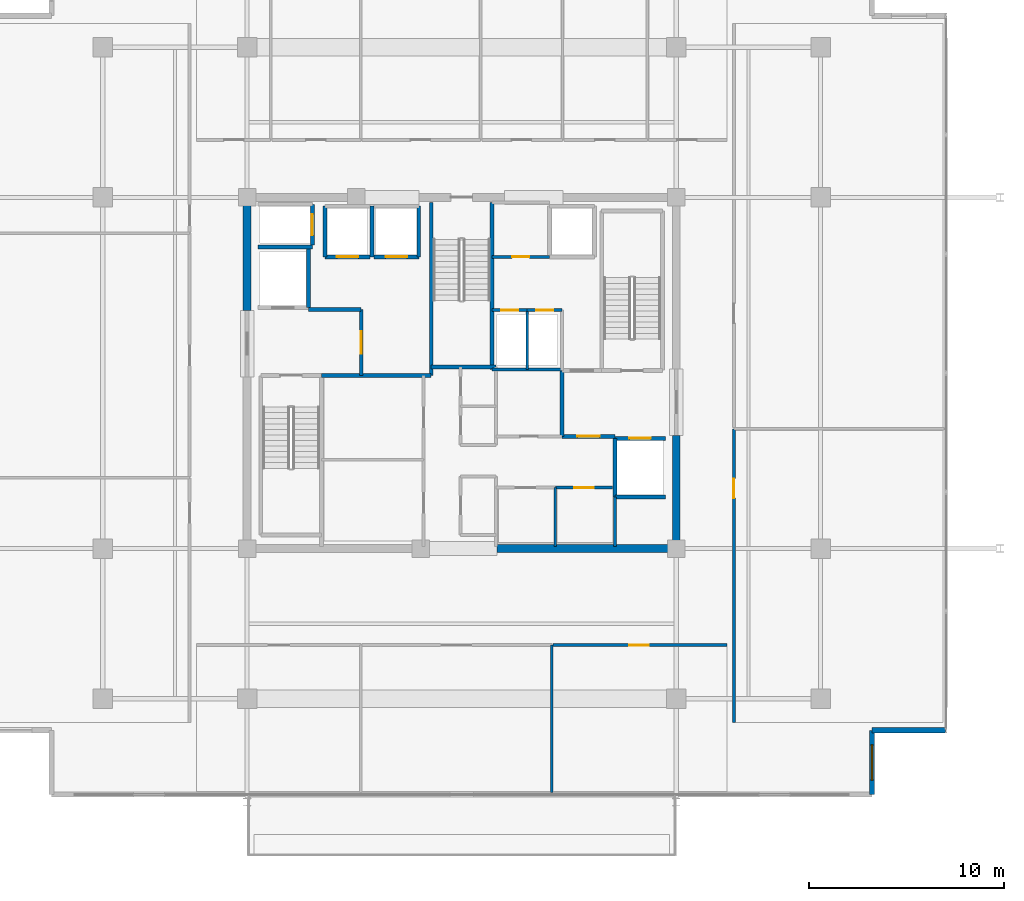
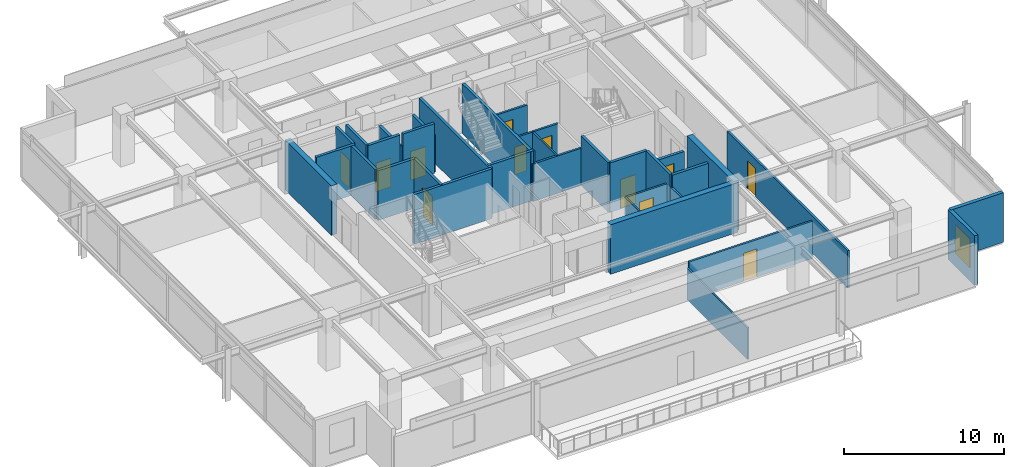
# One storey, part 15 of 21: 35 walls, 12 doors, 1 window, 13 openings.
"""IFC4 building model written with IfcOpenShell, lengths in metres."""

from ifc_helpers import new_model, si_unit, direction, frame, frame_2d, origin, place, context, subcontext, project, spatial, rectangle, extrude, material, layer, layer_set, type_object, element, fill, save


model = new_model("IFC4")

# Units and contexts
model_context = context("Model", 3, precision=1e-05, world=origin(), true_north=direction((0.0, 1.0)))
body_context = subcontext(model_context, "Body", "Model", "MODEL_VIEW")
ifc_project = project(units=[si_unit("LENGTHUNIT", "METRE"), si_unit("AREAUNIT", "SQUARE_METRE"), si_unit("VOLUMEUNIT", "CUBIC_METRE"), si_unit("PLANEANGLEUNIT", "RADIAN"), si_unit("MASSUNIT", "GRAM", prefix="KILO")], contexts=[model_context])

# Site, building, storey
site_placement = place(None, origin())
site = spatial("IfcSite", under=ifc_project, at=site_placement, CompositionType="ELEMENT")
building_placement = place(site_placement, origin())
building = spatial("IfcBuilding", under=site, at=building_placement, Name="Kovane Verandah Tower", CompositionType="ELEMENT")
storey_placement = place(building_placement, frame((0.0, 0.0, 326.800048828125)))
storey = spatial("IfcBuildingStorey", under=building, at=storey_placement, Name="L76", CompositionType="ELEMENT", Elevation=326.800048828125)

# Walls
ifc_material_1 = material(Name="Fire-Rated Gypsum Stud Partition", Category="gypsum")
ifc_layer_1 = layer(ifc_material_1, 0.14990234375)
ifc_layer_set_1 = layer_set([ifc_layer_1], Name="Fire-Rated Gypsum Stud Partition")
wall_type_1 = type_object("IfcWallType", Name="WL-COR-150", PredefinedType="PARTITIONING", material=ifc_layer_set_1)
wall_1_placement = place(storey_placement, frame((41.56005859375, 27.679931640625, 0.0), z_axis=(0.0, 0.0, 1.0), x_axis=(1.0, 0.0, 0.0)))
element("IfcWall", 1, at=wall_1_placement, inside=storey, type_object=wall_type_1, Name="L76 East Core Service Riser South Wall", PredefinedType="PARTITIONING", context=body_context, shape_type="SweptSolid", body=[
    extrude(rectangle(XDim=3.58984375, YDim=0.14990234375, at=frame_2d((1.794921875, 0.0))), origin(), (0.0, 0.0, 1.0), 2.849853515625),
])
wall_2_placement = place(storey_placement, frame((47.85009765625, 18.60009765625, 0.0), z_axis=(0.0, 0.0, 1.0), x_axis=(0.0, 1.0, 0.0)))
element("IfcWall", 2, at=wall_2_placement, inside=storey, type_object=wall_type_1, Name="L76 East Core Support East Wall", PredefinedType="PARTITIONING", context=body_context, shape_type="SweptSolid", body=[
    extrude(rectangle(XDim=2.539794921875, YDim=0.14990234375, at=frame_2d((1.27001953125, 0.0))), origin(), (0.0, 0.0, 1.0), 2.849853515625),
])

# Wall, opening, door
wall_3_placement = place(storey_placement, frame((44.800048828125, 21.6201171875, 0.0), z_axis=(0.0, 0.0, 1.0), x_axis=(1.0, 0.0, 0.0)))
wall_3 = element("IfcWall", 3, at=wall_3_placement, inside=storey, type_object=wall_type_1, Name="L76 East IT Server Room Partition", PredefinedType="PARTITIONING", context=body_context, shape_type="SweptSolid", body=[
    extrude(rectangle(XDim=2.93994140625, YDim=0.14990234375, at=frame_2d((1.469970703125, 0.0))), origin(), (0.0, 0.0, 1.0), 2.849853515625),
])
opening_1_placement = place(wall_3_placement, frame((0.969970703125, 0.0, 0.0)))
opening_1 = element("IfcOpeningElement", 4, at=opening_1_placement, cuts=wall_3, Name="Opening DR-L76-016", PredefinedType="OPENING", context=body_context, shape_type="SweptSolid", body=[
    extrude(rectangle(XDim=1.0, YDim=2.14990234375, at=frame_2d((0.5, 1.074951171875))), frame((0.0, 0.074951171875, 0.0), z_axis=(0.0, -1.0, 0.0), x_axis=(1.0, 0.0, 0.0)), (0.0, 0.0, 1.0), 0.14990234375),
])
ifc_material_2 = material(Name="FSC Spotted-Gum Timber Fire-Rated Office Door", Category="wood")
door_type_1 = type_object("IfcDoorType", Name="DR-OFF-1000", OperationType="SINGLE_SWING_LEFT", PredefinedType="DOOR", material=ifc_material_2)
door_1_placement = place(opening_1_placement, origin())
door_1 = element("IfcDoor", 5, at=door_1_placement, inside=storey, type_object=door_type_1, Name="L76 East IT Server Room Door", OperationType="SINGLE_SWING_RIGHT", OverallHeight=2.14990234375, OverallWidth=1.0, PredefinedType="DOOR", context=body_context, shape_type="SweptSolid", body=[
    extrude(rectangle(XDim=1.0, YDim=2.14990234375, at=frame_2d((0.5, 1.074951171875))), frame((0.0, 0.02490234375, 0.0), z_axis=(0.0, -1.0, 0.0), x_axis=(1.0, 0.0, 0.0)), (0.0, 0.0, 1.0), 0.050048828125),
])
fill(opening_1, door_1)

wall_4_placement = place(storey_placement, frame((41.56005859375, 30.719970703125, 0.0), z_axis=(0.0, 0.0, 1.0), x_axis=(1.0, 0.0, 0.0)))
wall_4 = element("IfcWall", 6, at=wall_4_placement, inside=storey, type_object=wall_type_1, Name="L76 Chilled Water Riser Room Partition", PredefinedType="PARTITIONING", context=body_context, shape_type="SweptSolid", body=[
    extrude(rectangle(XDim=1.800048828125, YDim=0.14990234375, at=frame_2d((0.89990234375, 0.0))), origin(), (0.0, 0.0, 1.0), 2.849853515625),
])
opening_2_placement = place(wall_4_placement, frame((0.4599609375, 0.0, 0.0)))
opening_2 = element("IfcOpeningElement", 7, at=opening_2_placement, cuts=wall_4, Name="Opening DR-L76-019", PredefinedType="OPENING", context=body_context, shape_type="SweptSolid", body=[
    extrude(rectangle(XDim=0.8798828125, YDim=2.10009765625, at=frame_2d((0.43994140625, 1.050048828125))), frame((0.0, 0.074951171875, 0.0), z_axis=(0.0, -1.0, 0.0), x_axis=(1.0, 0.0, 0.0)), (0.0, 0.0, 1.0), 0.14990234375),
])
ifc_material_3 = material(Name="Fire-Rated Steel Riser Access Door", Category="steel")
door_type_2 = type_object("IfcDoorType", Name="DR-RISER-880", OperationType="SINGLE_SWING_LEFT", PredefinedType="DOOR", material=ifc_material_3)
door_2_placement = place(opening_2_placement, origin())
door_2 = element("IfcDoor", 8, at=door_2_placement, inside=storey, type_object=door_type_2, Name="L76 Chilled Water Riser Room Door", OperationType="SINGLE_SWING_RIGHT", OverallHeight=2.10009765625, OverallWidth=0.8798828125, PredefinedType="DOOR", context=body_context, shape_type="SweptSolid", body=[
    extrude(rectangle(XDim=0.8798828125, YDim=2.10009765625, at=frame_2d((0.43994140625, 1.050048828125))), frame((0.0, 0.02490234375, 0.0), z_axis=(0.0, -1.0, 0.0), x_axis=(1.0, 0.0, 0.0)), (0.0, 0.0, 1.0), 0.050048828125),
])
fill(opening_2, door_2)

wall_5_placement = place(storey_placement, frame((43.360107421875, 30.719970703125, 0.0), z_axis=(0.0, 0.0, 1.0), x_axis=(1.0, 0.0, 0.0)))
wall_5 = element("IfcWall", 9, at=wall_5_placement, inside=storey, type_object=wall_type_1, Name="L76 Smoke Extract Duct Room Partition", PredefinedType="PARTITIONING", context=body_context, shape_type="SweptSolid", body=[
    extrude(rectangle(XDim=1.789794921875, YDim=0.14990234375, at=frame_2d((0.89501953125, 0.0))), origin(), (0.0, 0.0, 1.0), 2.849853515625),
])
opening_3_placement = place(wall_5_placement, frame((0.455078125, 0.0, 0.0)))
opening_3 = element("IfcOpeningElement", 10, at=opening_3_placement, cuts=wall_5, Name="Opening DR-L76-020", PredefinedType="OPENING", context=body_context, shape_type="SweptSolid", body=[
    extrude(rectangle(XDim=0.8798828125, YDim=2.10009765625, at=frame_2d((0.43994140625, 1.050048828125))), frame((0.0, 0.074951171875, 0.0), z_axis=(0.0, -1.0, 0.0), x_axis=(1.0, 0.0, 0.0)), (0.0, 0.0, 1.0), 0.14990234375),
])
door_3_placement = place(opening_3_placement, origin())
door_3 = element("IfcDoor", 11, at=door_3_placement, inside=storey, type_object=door_type_2, Name="L76 Smoke Extract Duct Room Door", OperationType="SINGLE_SWING_LEFT", OverallHeight=2.10009765625, OverallWidth=0.8798828125, PredefinedType="DOOR", context=body_context, shape_type="SweptSolid", body=[
    extrude(rectangle(XDim=0.8798828125, YDim=2.10009765625, at=frame_2d((0.43994140625, 1.050048828125))), frame((0.0, 0.02490234375, 0.0), z_axis=(0.0, -1.0, 0.0), x_axis=(1.0, 0.0, 0.0)), (0.0, 0.0, 1.0), 0.050048828125),
])
fill(opening_3, door_3)

wall_6_placement = place(storey_placement, frame((41.56005859375, 33.449951171875, 0.0), z_axis=(0.0, 0.0, 1.0), x_axis=(1.0, 0.0, 0.0)))
wall_6 = element("IfcWall", 12, at=wall_6_placement, inside=storey, type_object=wall_type_1, Name="L76 Sky Telecom Riser Room Partition", PredefinedType="PARTITIONING", context=body_context, shape_type="SweptSolid", body=[
    extrude(rectangle(XDim=2.93994140625, YDim=0.14990234375, at=frame_2d((1.469970703125, 0.0))), origin(), (0.0, 0.0, 1.0), 2.849853515625),
])
opening_4_placement = place(wall_6_placement, frame((1.030029296875, 0.0, 0.0)))
opening_4 = element("IfcOpeningElement", 13, at=opening_4_placement, cuts=wall_6, Name="Opening DR-L76-018", PredefinedType="OPENING", context=body_context, shape_type="SweptSolid", body=[
    extrude(rectangle(XDim=0.8798828125, YDim=2.10009765625, at=frame_2d((0.43994140625, 1.050048828125))), frame((0.0, 0.074951171875, 0.0), z_axis=(0.0, -1.0, 0.0), x_axis=(1.0, 0.0, 0.0)), (0.0, 0.0, 1.0), 0.14990234375),
])
door_4_placement = place(opening_4_placement, origin())
door_4 = element("IfcDoor", 14, at=door_4_placement, inside=storey, type_object=door_type_2, Name="L76 Sky Telecom Riser Room Door", OperationType="SINGLE_SWING_RIGHT", OverallHeight=2.10009765625, OverallWidth=0.8798828125, PredefinedType="DOOR", context=body_context, shape_type="SweptSolid", body=[
    extrude(rectangle(XDim=0.8798828125, YDim=2.10009765625, at=frame_2d((0.43994140625, 1.050048828125))), frame((0.0, 0.02490234375, 0.0), z_axis=(0.0, -1.0, 0.0), x_axis=(1.0, 0.0, 0.0)), (0.0, 0.0, 1.0), 0.050048828125),
])
fill(opening_4, door_4)

wall_7_placement = place(storey_placement, frame((44.694091796875, 13.550048828125, 0.0), z_axis=(0.0, 0.0, 1.0), x_axis=(1.0, 0.0, 0.0)))
wall_7 = element("IfcWall", 15, at=wall_7_placement, inside=storey, type_object=wall_type_1, Name="L76 Meeting Room S3 Corridor Partition", PredefinedType="PARTITIONING", context=body_context, shape_type="SweptSolid", body=[
    extrude(rectangle(XDim=8.906005859375, YDim=0.14990234375, at=frame_2d((4.453125, 0.0))), origin(), (0.0, 0.0, 1.0), 2.849853515625),
])
opening_5_placement = place(wall_7_placement, frame((3.903076171875, 0.0, 0.0)))
opening_5 = element("IfcOpeningElement", 16, at=opening_5_placement, cuts=wall_7, Name="Opening DR-L76-029", PredefinedType="OPENING", context=body_context, shape_type="SweptSolid", body=[
    extrude(rectangle(XDim=1.0, YDim=2.14990234375, at=frame_2d((0.5, 1.074951171875))), frame((0.0, 0.074951171875, 0.0), z_axis=(0.0, -1.0, 0.0), x_axis=(1.0, 0.0, 0.0)), (0.0, 0.0, 1.0), 0.14990234375),
])
door_5_placement = place(opening_5_placement, origin())
door_5 = element("IfcDoor", 17, at=door_5_placement, inside=storey, type_object=door_type_1, Name="L76 Meeting Room S3 Entrance Door", OperationType="SINGLE_SWING_LEFT", OverallHeight=2.14990234375, OverallWidth=1.0, PredefinedType="DOOR", context=body_context, shape_type="SweptSolid", body=[
    extrude(rectangle(XDim=1.0, YDim=2.14990234375, at=frame_2d((0.5, 1.074951171875))), frame((0.0, 0.02490234375, 0.0), z_axis=(0.0, -1.0, 0.0), x_axis=(1.0, 0.0, 0.0)), (0.0, 0.0, 1.0), 0.050048828125),
])
fill(opening_5, door_5)

wall_8_placement = place(storey_placement, frame((53.949951171875, 9.584228515625, 0.0), z_axis=(0.0, 0.0, 1.0), x_axis=(0.0, 1.0, 0.0)))
wall_8 = element("IfcWall", 18, at=wall_8_placement, inside=storey, type_object=wall_type_1, Name="L76 Document and Print Room E1 Corridor Partition", PredefinedType="PARTITIONING", context=body_context, shape_type="SweptSolid", body=[
    extrude(rectangle(XDim=15.04931640625, YDim=0.14990234375, at=frame_2d((7.524658203125, 0.0))), origin(), (0.0, 0.0, 1.0), 2.849853515625),
])
opening_6_placement = place(wall_8_placement, frame((11.497314453125, 0.0, 0.0)))
opening_6 = element("IfcOpeningElement", 19, at=opening_6_placement, cuts=wall_8, Name="Opening DR-L76-011", PredefinedType="OPENING", context=body_context, shape_type="SweptSolid", body=[
    extrude(rectangle(XDim=1.0, YDim=2.14990234375, at=frame_2d((0.5, 1.074951171875))), frame((0.0, 0.074951171875, 0.0), z_axis=(0.0, -1.0, 0.0), x_axis=(1.0, 0.0, 0.0)), (0.0, 0.0, 1.0), 0.14990234375),
])
door_6_placement = place(opening_6_placement, origin())
door_6 = element("IfcDoor", 20, at=door_6_placement, inside=storey, type_object=door_type_1, Name="L76 Document and Print Room E1 Entrance Door", OperationType="SINGLE_SWING_LEFT", OverallHeight=2.14990234375, OverallWidth=1.0, PredefinedType="DOOR", context=body_context, shape_type="SweptSolid", body=[
    extrude(rectangle(XDim=1.0, YDim=2.14990234375, at=frame_2d((0.5, 1.074951171875))), frame((0.0, 0.02490234375, 0.0), z_axis=(0.0, -1.0, 0.0), x_axis=(1.0, 0.0, 0.0)), (0.0, 0.0, 1.0), 0.050048828125),
])
fill(opening_6, door_6)

# Walls
ifc_material_4 = material(Name="Concrete C60/75", Category="concrete")
ifc_layer_2 = layer(ifc_material_4, 0.39990234375)
ifc_layer_set_2 = layer_set([ifc_layer_2], Name="Concrete C60/75")
wall_type_2 = type_object("IfcWallType", Name="WL-CORE-400", PredefinedType="SHEAR", material=ifc_layer_set_2)
wall_9_placement = place(storey_placement, frame((41.800048828125, 18.5, 0.0), z_axis=(0.0, 0.0, 1.0), x_axis=(1.0, 0.0, 0.0)))
element("IfcWall", 21, at=wall_9_placement, inside=storey, type_object=wall_type_2, Name="L76 Core Shear Wall CS-2", PredefinedType="SHEAR", context=body_context, shape_type="SweptSolid", body=[
    extrude(rectangle(XDim=9.199951171875, YDim=0.39990234375, at=frame_2d((4.60009765625, 0.0))), origin(), (0.0, 0.0, 1.0), 3.784912109375),
])
for number, where, z_axis, x_axis, name in (
    (22, (29.0, 30.699951171875, 0.0), (0.0, 0.0, 1.0), (0.0, 1.0, 0.0), "L76 Core Shear Wall CW-2"),
    (23, (51.0, 18.5, 0.0), (0.0, 0.0, 1.0), (0.0, 1.0, 0.0), "L76 Core Shear Wall CE-1"),
):
    element("IfcWall", number, at=place(storey_placement, frame(where, z_axis=z_axis, x_axis=x_axis)), inside=storey, type_object=wall_type_2, Name=name, PredefinedType="SHEAR", context=body_context, shape_type="SweptSolid", body=[
        extrude(rectangle(XDim=5.800048828125, YDim=0.39990234375, at=frame_2d((2.89990234375, 0.0))), origin(), (0.0, 0.0, 1.0), 3.784912109375),
    ])

# Wall, opening, door
ifc_material_5 = material(Name="Concrete C45/55 Fire Wall", Category="concrete")
ifc_layer_3 = layer(ifc_material_5, 0.199951171875)
ifc_layer_set_3 = layer_set([ifc_layer_3], Name="Concrete C45/55 Fire Wall")
wall_type_3 = type_object("IfcWallType", Name="WL-FFL-200", PredefinedType="PARTITIONING", material=ifc_layer_set_3)
wall_10_placement = place(storey_placement, frame((34.85009765625, 27.3798828125, 0.0), z_axis=(0.0, 0.0, 1.0), x_axis=(0.0, 1.0, 0.0)))
wall_10 = element("IfcWall", 24, at=wall_10_placement, inside=storey, type_object=wall_type_3, Name="W-L76-FFLW-E", PredefinedType="PARTITIONING", context=body_context, shape_type="SweptSolid", body=[
    extrude(rectangle(XDim=3.3701171875, YDim=0.199951171875, at=frame_2d((1.68505859375, 0.0))), origin(), (0.0, 0.0, 1.0), 3.784912109375),
])
opening_7_placement = place(wall_10_placement, frame((1.110107421875, 0.0, 0.0)))
opening_7 = element("IfcOpeningElement", 25, at=opening_7_placement, cuts=wall_10, Name="Opening DR-L76-006", PredefinedType="OPENING", context=body_context, shape_type="SweptSolid", body=[
    extrude(rectangle(XDim=1.14990234375, YDim=2.199951171875, at=frame_2d((0.574951171875, 1.10009765625))), frame((0.0, 0.10009765625, 0.0), z_axis=(0.0, -1.0, 0.0), x_axis=(1.0, 0.0, 0.0)), (0.0, 0.0, 1.0), 0.199951171875),
])
ifc_material_6 = material(Name="Smoke-Sealed Firefighting Lobby Door", Category="steel")
door_type_3 = type_object("IfcDoorType", Name="DR-FFL-1150", OperationType="SINGLE_SWING_LEFT", PredefinedType="DOOR", material=ifc_material_6)
door_7_placement = place(opening_7_placement, origin())
door_7 = element("IfcDoor", 26, at=door_7_placement, inside=storey, type_object=door_type_3, Name="L76 West Firefighting Lobby Inner Door", OperationType="SINGLE_SWING_LEFT", OverallHeight=2.199951171875, OverallWidth=1.14990234375, PredefinedType="DOOR", context=body_context, shape_type="SweptSolid", body=[
    extrude(rectangle(XDim=1.14990234375, YDim=2.199951171875, at=frame_2d((0.574951171875, 1.10009765625))), frame((0.0, 0.02490234375, 0.0), z_axis=(0.0, -1.0, 0.0), x_axis=(1.0, 0.0, 0.0)), (0.0, 0.0, 1.0), 0.050048828125),
])
fill(opening_7, door_7)

# Walls
wall_11_placement = place(storey_placement, frame((32.820068359375, 27.3798828125, 0.0), z_axis=(0.0, 0.0, 1.0), x_axis=(1.0, 0.0, 0.0)))
element("IfcWall", 27, at=wall_11_placement, inside=storey, type_object=wall_type_3, Name="L76 West Firefighting Lobby South Fire Wall", PredefinedType="PARTITIONING", context=body_context, shape_type="SweptSolid", body=[
    extrude(rectangle(XDim=5.619873046875, YDim=0.199951171875, at=frame_2d((2.81005859375, 0.0))), origin(), (0.0, 0.0, 1.0), 3.784912109375),
])
wall_12_placement = place(storey_placement, frame((32.14990234375, 30.75, 0.0), z_axis=(0.0, 0.0, 1.0), x_axis=(1.0, 0.0, 0.0)))
element("IfcWall", 28, at=wall_12_placement, inside=storey, type_object=wall_type_3, Name="L76 West Firefighting Lobby North Fire Wall", PredefinedType="PARTITIONING", context=body_context, shape_type="SweptSolid", body=[
    extrude(rectangle(XDim=2.7001953125, YDim=0.199951171875, at=frame_2d((1.35009765625, 0.0))), origin(), (0.0, 0.0, 1.0), 3.784912109375),
])
wall_13_placement = place(storey_placement, frame((45.14990234375, 24.25, 0.0), z_axis=(0.0, 0.0, 1.0), x_axis=(0.0, 1.0, 0.0)))
element("IfcWall", 29, at=wall_13_placement, inside=storey, type_object=wall_type_3, Name="L76 East Firefighting Lobby West Fire Wall", PredefinedType="PARTITIONING", context=body_context, shape_type="SweptSolid", body=[
    extrude(rectangle(XDim=3.3701171875, YDim=0.199951171875, at=frame_2d((1.68505859375, 0.0))), origin(), (0.0, 0.0, 1.0), 3.784912109375),
])

# Wall, opening, door
wall_14_placement = place(storey_placement, frame((45.14990234375, 24.25, 0.0), z_axis=(0.0, 0.0, 1.0), x_axis=(1.0, 0.0, 0.0)))
wall_14 = element("IfcWall", 30, at=wall_14_placement, inside=storey, type_object=wall_type_3, Name="W-L76-FFLE-S", PredefinedType="PARTITIONING", context=body_context, shape_type="SweptSolid", body=[
    extrude(rectangle(XDim=2.7001953125, YDim=0.199951171875, at=frame_2d((1.35009765625, 0.0))), origin(), (0.0, 0.0, 1.0), 3.784912109375),
])
opening_8_placement = place(wall_14_placement, frame((0.77490234375, 0.0, 0.0)))
opening_8 = element("IfcOpeningElement", 31, at=opening_8_placement, cuts=wall_14, Name="Opening DR-L76-003", PredefinedType="OPENING", context=body_context, shape_type="SweptSolid", body=[
    extrude(rectangle(XDim=1.14990234375, YDim=2.199951171875, at=frame_2d((0.574951171875, 1.10009765625))), frame((0.0, 0.10009765625, 0.0), z_axis=(0.0, -1.0, 0.0), x_axis=(1.0, 0.0, 0.0)), (0.0, 0.0, 1.0), 0.199951171875),
])
door_8_placement = place(opening_8_placement, origin())
door_8 = element("IfcDoor", 32, at=door_8_placement, inside=storey, type_object=door_type_3, Name="L76 East Firefighting Lobby Inner Door", OperationType="SINGLE_SWING_RIGHT", OverallHeight=2.199951171875, OverallWidth=1.14990234375, PredefinedType="DOOR", context=body_context, shape_type="SweptSolid", body=[
    extrude(rectangle(XDim=1.14990234375, YDim=2.199951171875, at=frame_2d((0.574951171875, 1.10009765625))), frame((0.0, 0.02490234375, 0.0), z_axis=(0.0, -1.0, 0.0), x_axis=(1.0, 0.0, 0.0)), (0.0, 0.0, 1.0), 0.050048828125),
])
fill(opening_8, door_8)

# Walls
ifc_material_7 = material(Name="Concrete C45/55 Lift Shaft Wall", Category="concrete")
ifc_layer_4 = layer(ifc_material_7, 0.199951171875)
ifc_layer_set_4 = layer_set([ifc_layer_4], Name="Concrete C45/55 Lift Shaft Wall")
wall_type_4 = type_object("IfcWallType", Name="WL-LIFT-200", PredefinedType="SOLIDWALL", material=ifc_layer_set_4)
wall_15_placement = place(storey_placement, frame((29.550048828125, 33.949951171875, 0.0), z_axis=(0.0, 0.0, 1.0), x_axis=(1.0, 0.0, 0.0)))
element("IfcWall", 33, at=wall_15_placement, inside=storey, type_object=wall_type_4, Name="L76 Lift FL-01 and GL-01 Shared Shaft Wall", PredefinedType="SOLIDWALL", context=body_context, shape_type="SweptSolid", body=[
    extrude(rectangle(XDim=2.800048828125, YDim=0.199951171875, at=frame_2d((1.39990234375, 0.0))), origin(), (0.0, 0.0, 1.0), 3.784912109375),
])
wall_16_placement = place(storey_placement, frame((32.14990234375, 30.85009765625, 0.0), z_axis=(0.0, 0.0, 1.0), x_axis=(0.0, 1.0, 0.0)))
element("IfcWall", 34, at=wall_16_placement, inside=storey, type_object=wall_type_4, Name="L76 Lift FL-01 E Shaft Wall", PredefinedType="SOLIDWALL", context=body_context, shape_type="SweptSolid", body=[
    extrude(rectangle(XDim=3.0, YDim=0.199951171875, at=frame_2d((1.5, 0.0))), origin(), (0.0, 0.0, 1.0), 3.784912109375),
])
wall_17_placement = place(storey_placement, frame((47.85009765625, 21.14990234375, 0.0), z_axis=(0.0, 0.0, 1.0), x_axis=(1.0, 0.0, 0.0)))
element("IfcWall", 35, at=wall_17_placement, inside=storey, type_object=wall_type_4, Name="L76 Lift FL-02 S Shaft Wall", PredefinedType="SOLIDWALL", context=body_context, shape_type="SweptSolid", body=[
    extrude(rectangle(XDim=2.599853515625, YDim=0.199951171875, at=frame_2d((1.2998046875, 0.0))), origin(), (0.0, 0.0, 1.0), 3.784912109375),
])

# Wall, opening, door
wall_18_placement = place(storey_placement, frame((50.449951171875, 24.14990234375, 0.0), z_axis=(0.0, 0.0, 1.0), x_axis=(-1.0, 0.0, 0.0)))
wall_18 = element("IfcWall", 36, at=wall_18_placement, inside=storey, type_object=wall_type_4, Name="L76 Lift FL-02 N Shaft Wall", PredefinedType="SOLIDWALL", context=body_context, shape_type="SweptSolid", body=[
    extrude(rectangle(XDim=2.599853515625, YDim=0.199951171875, at=frame_2d((1.2998046875, 0.0))), origin(), (0.0, 0.0, 1.0), 2.864990234375),
])
opening_9_placement = place(wall_18_placement, frame((0.75, 0.0, 0.0)))
opening_9 = element("IfcOpeningElement", 37, at=opening_9_placement, cuts=wall_18, Name="Opening LD-L76-002", PredefinedType="OPENING", context=body_context, shape_type="SweptSolid", body=[
    extrude(rectangle(XDim=1.10009765625, YDim=2.199951171875, at=frame_2d((0.550048828125, 1.10009765625))), frame((0.0, 0.10009765625, 0.0), z_axis=(0.0, -1.0, 0.0), x_axis=(1.0, 0.0, 0.0)), (0.0, 0.0, 1.0), 0.199951171875),
])
ifc_material_8 = material(Name="Brushed Stainless Steel Sliding Lift Landing Door", Category="steel")
door_type_4 = type_object("IfcDoorType", Name="DR-LIFT-1100", OperationType="SLIDING_TO_RIGHT", PredefinedType="DOOR", material=ifc_material_8)
door_9_placement = place(opening_9_placement, origin())
door_9 = element("IfcDoor", 38, at=door_9_placement, inside=storey, type_object=door_type_4, Name="L76 Lift FL-02 Sliding Landing Door", OperationType="SLIDING_TO_RIGHT", OverallHeight=2.199951171875, OverallWidth=1.10009765625, PredefinedType="DOOR", context=body_context, shape_type="SweptSolid", body=[
    extrude(rectangle(XDim=1.10009765625, YDim=2.199951171875, at=frame_2d((0.550048828125, 1.10009765625))), frame((0.0, 0.02490234375, 0.0), z_axis=(0.0, -1.0, 0.0), x_axis=(1.0, 0.0, 0.0)), (0.0, 0.0, 1.0), 0.050048828125),
])
fill(opening_9, door_9)

# Wall
wall_19_placement = place(storey_placement, frame((47.85009765625, 24.14990234375, 0.0), z_axis=(0.0, 0.0, 1.0), x_axis=(0.0, -1.0, 0.0)))
element("IfcWall", 39, at=wall_19_placement, inside=storey, type_object=wall_type_4, Name="L76 Lift FL-02 W Shaft Wall", PredefinedType="SOLIDWALL", context=body_context, shape_type="SweptSolid", body=[
    extrude(rectangle(XDim=3.0, YDim=0.199951171875, at=frame_2d((1.5, 0.0))), origin(), (0.0, 0.0, 1.0), 3.784912109375),
])

# Wall, opening, door
wall_20_placement = place(storey_placement, frame((32.35009765625, 34.050048828125, 0.0), z_axis=(0.0, 0.0, 1.0), x_axis=(0.0, 1.0, 0.0)))
wall_20 = element("IfcWall", 40, at=wall_20_placement, inside=storey, type_object=wall_type_4, Name="L76 Lift GL-01 E Shaft Wall", PredefinedType="SOLIDWALL", context=body_context, shape_type="SweptSolid", body=[
    extrude(rectangle(XDim=2.099853515625, YDim=0.199951171875, at=frame_2d((1.0498046875, 0.0))), origin(), (0.0, 0.0, 1.0), 3.784912109375),
])
opening_10_placement = place(wall_20_placement, frame((0.5, 0.0, 0.0)))
opening_10 = element("IfcOpeningElement", 41, at=opening_10_placement, cuts=wall_20, Name="Opening LD-L76-003", PredefinedType="OPENING", context=body_context, shape_type="SweptSolid", body=[
    extrude(rectangle(XDim=1.10009765625, YDim=2.199951171875, at=frame_2d((0.550048828125, 1.10009765625))), frame((0.0, 0.10009765625, 0.0), z_axis=(0.0, -1.0, 0.0), x_axis=(1.0, 0.0, 0.0)), (0.0, 0.0, 1.0), 0.199951171875),
])
door_10_placement = place(opening_10_placement, origin())
door_10 = element("IfcDoor", 42, at=door_10_placement, inside=storey, type_object=door_type_4, Name="L76 Lift GL-01 Sliding Landing Door", OperationType="SLIDING_TO_RIGHT", OverallHeight=2.199951171875, OverallWidth=1.10009765625, PredefinedType="DOOR", context=body_context, shape_type="SweptSolid", body=[
    extrude(rectangle(XDim=1.10009765625, YDim=2.199951171875, at=frame_2d((0.550048828125, 1.10009765625))), frame((0.0, 0.02490234375, 0.0), z_axis=(0.0, -1.0, 0.0), x_axis=(1.0, 0.0, 0.0)), (0.0, 0.0, 1.0), 0.050048828125),
])
fill(opening_10, door_10)

wall_21_placement = place(storey_placement, frame((33.0, 33.449951171875, 0.0), z_axis=(0.0, 0.0, 1.0), x_axis=(1.0, 0.0, 0.0)))
wall_21 = element("IfcWall", 43, at=wall_21_placement, inside=storey, type_object=wall_type_4, Name="L76 Lift PL-H1 S Shaft Wall", PredefinedType="SOLIDWALL", context=body_context, shape_type="SweptSolid", body=[
    extrude(rectangle(XDim=2.300048828125, YDim=0.199951171875, at=frame_2d((1.14990234375, 0.0))), origin(), (0.0, 0.0, 1.0), 3.784912109375),
])
opening_11_placement = place(wall_21_placement, frame((0.60009765625, 0.0, 0.0)))
opening_11 = element("IfcOpeningElement", 44, at=opening_11_placement, cuts=wall_21, Name="Opening LD-L76-004", PredefinedType="OPENING", context=body_context, shape_type="SweptSolid", body=[
    extrude(rectangle(XDim=1.10009765625, YDim=2.199951171875, at=frame_2d((0.550048828125, 1.10009765625))), frame((0.0, 0.10009765625, 0.0), z_axis=(0.0, -1.0, 0.0), x_axis=(1.0, 0.0, 0.0)), (0.0, 0.0, 1.0), 0.199951171875),
])
door_11_placement = place(opening_11_placement, origin())
door_11 = element("IfcDoor", 45, at=door_11_placement, inside=storey, type_object=door_type_4, Name="L76 Lift PL-H1 Sliding Landing Door", OperationType="SLIDING_TO_RIGHT", OverallHeight=2.199951171875, OverallWidth=1.10009765625, PredefinedType="DOOR", context=body_context, shape_type="SweptSolid", body=[
    extrude(rectangle(XDim=1.10009765625, YDim=2.199951171875, at=frame_2d((0.550048828125, 1.10009765625))), frame((0.0, 0.02490234375, 0.0), z_axis=(0.0, -1.0, 0.0), x_axis=(1.0, 0.0, 0.0)), (0.0, 0.0, 1.0), 0.050048828125),
])
fill(opening_11, door_11)

# Walls
wall_22_placement = place(storey_placement, frame((33.0, 36.050048828125, 0.0), z_axis=(0.0, 0.0, 1.0), x_axis=(0.0, -1.0, 0.0)))
element("IfcWall", 46, at=wall_22_placement, inside=storey, type_object=wall_type_4, Name="L76 Lift PL-H1 W Shaft Wall", PredefinedType="SOLIDWALL", context=body_context, shape_type="SweptSolid", body=[
    extrude(rectangle(XDim=2.60009765625, YDim=0.199951171875, at=frame_2d((1.300048828125, 0.0))), origin(), (0.0, 0.0, 1.0), 3.784912109375),
])
wall_23_placement = place(storey_placement, frame((35.39990234375, 33.449951171875, 0.0), z_axis=(0.0, 0.0, 1.0), x_axis=(0.0, 1.0, 0.0)))
element("IfcWall", 47, at=wall_23_placement, inside=storey, type_object=wall_type_4, Name="L76 Lift PL-H1 and PL-H2 Shared Shaft Wall", PredefinedType="SOLIDWALL", context=body_context, shape_type="SweptSolid", body=[
    extrude(rectangle(XDim=2.60009765625, YDim=0.199951171875, at=frame_2d((1.300048828125, 0.0))), origin(), (0.0, 0.0, 1.0), 2.864990234375),
])

# Wall, opening, door
wall_24_placement = place(storey_placement, frame((35.5, 33.449951171875, 0.0), z_axis=(0.0, 0.0, 1.0), x_axis=(1.0, 0.0, 0.0)))
wall_24 = element("IfcWall", 48, at=wall_24_placement, inside=storey, type_object=wall_type_4, Name="L76 Lift PL-H2 S Shaft Wall", PredefinedType="SOLIDWALL", context=body_context, shape_type="SweptSolid", body=[
    extrude(rectangle(XDim=2.300048828125, YDim=0.199951171875, at=frame_2d((1.14990234375, 0.0))), origin(), (0.0, 0.0, 1.0), 3.784912109375),
])
opening_12_placement = place(wall_24_placement, frame((0.60009765625, 0.0, 0.0)))
opening_12 = element("IfcOpeningElement", 49, at=opening_12_placement, cuts=wall_24, Name="Opening LD-L76-005", PredefinedType="OPENING", context=body_context, shape_type="SweptSolid", body=[
    extrude(rectangle(XDim=1.10009765625, YDim=2.199951171875, at=frame_2d((0.550048828125, 1.10009765625))), frame((0.0, 0.10009765625, 0.0), z_axis=(0.0, -1.0, 0.0), x_axis=(1.0, 0.0, 0.0)), (0.0, 0.0, 1.0), 0.199951171875),
])
door_12_placement = place(opening_12_placement, origin())
door_12 = element("IfcDoor", 50, at=door_12_placement, inside=storey, type_object=door_type_4, Name="L76 Lift PL-H2 Sliding Landing Door", OperationType="SLIDING_TO_RIGHT", OverallHeight=2.199951171875, OverallWidth=1.10009765625, PredefinedType="DOOR", context=body_context, shape_type="SweptSolid", body=[
    extrude(rectangle(XDim=1.10009765625, YDim=2.199951171875, at=frame_2d((0.550048828125, 1.10009765625))), frame((0.0, 0.02490234375, 0.0), z_axis=(0.0, -1.0, 0.0), x_axis=(1.0, 0.0, 0.0)), (0.0, 0.0, 1.0), 0.050048828125),
])
fill(opening_12, door_12)

# Walls
wall_25_placement = place(storey_placement, frame((37.800048828125, 33.449951171875, 0.0), z_axis=(0.0, 0.0, 1.0), x_axis=(0.0, 1.0, 0.0)))
element("IfcWall", 51, at=wall_25_placement, inside=storey, type_object=wall_type_4, Name="L76 Lift PL-H2 E Shaft Wall", PredefinedType="SOLIDWALL", context=body_context, shape_type="SweptSolid", body=[
    extrude(rectangle(XDim=2.60009765625, YDim=0.199951171875, at=frame_2d((1.300048828125, 0.0))), origin(), (0.0, 0.0, 1.0), 2.864990234375),
])
ifc_material_9 = material(Name="Acoustic Fire-Rated Gypsum Partition", Category="gypsum")
ifc_layer_5 = layer(ifc_material_9, 0.1201171875)
ifc_layer_set_5 = layer_set([ifc_layer_5], Name="Acoustic Fire-Rated Gypsum Partition")
wall_type_5 = type_object("IfcWallType", Name="WL-PART-120", PredefinedType="PARTITIONING", material=ifc_layer_set_5)
wall_26_placement = place(storey_placement, frame((44.800048828125, 18.60009765625, 0.0), z_axis=(0.0, 0.0, 1.0), x_axis=(0.0, 1.0, 0.0)))
element("IfcWall", 52, at=wall_26_placement, inside=storey, type_object=wall_type_5, Name="L76 East Core Support Dividing Partition", PredefinedType="PARTITIONING", context=body_context, shape_type="SweptSolid", body=[
    extrude(rectangle(XDim=3.02001953125, YDim=0.1201171875, at=frame_2d((1.510009765625, 0.0))), origin(), (0.0, 0.0, 1.0), 2.849853515625),
])
wall_27_placement = place(storey_placement, frame((43.360107421875, 27.679931640625, 0.0), z_axis=(0.0, 0.0, 1.0), x_axis=(0.0, 1.0, 0.0)))
element("IfcWall", 53, at=wall_27_placement, inside=storey, type_object=wall_type_5, Name="L76 Service Riser Dividing Partition", PredefinedType="PARTITIONING", context=body_context, shape_type="SweptSolid", body=[
    extrude(rectangle(XDim=3.0400390625, YDim=0.1201171875, at=frame_2d((1.52001953125, 0.0))), origin(), (0.0, 0.0, 1.0), 2.849853515625),
])
wall_28_placement = place(storey_placement, frame((44.6240234375, 5.984375, 0.0), z_axis=(0.0, 0.0, 1.0), x_axis=(0.0, 1.0, 0.0)))
element("IfcWall", 54, at=wall_28_placement, inside=storey, type_object=wall_type_5, Name="L76 Client Boardroom S2 Dividing Partition", PredefinedType="PARTITIONING", context=body_context, shape_type="SweptSolid", body=[
    extrude(rectangle(XDim=7.565673828125, YDim=0.1201171875, at=frame_2d((3.78271484375, 0.0))), origin(), (0.0, 0.0, 1.0), 2.4150390625),
])
ifc_material_10 = material(Name="Concrete C45/55", Category="concrete")
ifc_layer_6 = layer(ifc_material_10, 0.199951171875)
ifc_layer_set_6 = layer_set([ifc_layer_6], Name="Concrete C45/55")
wall_type_6 = type_object("IfcWallType", Name="WL-SHAFT-200", PredefinedType="SOLIDWALL", material=ifc_layer_set_6)
wall_29_placement = place(storey_placement, frame((38.43994140625, 27.3798828125, 0.0), z_axis=(0.0, 0.0, 1.0), x_axis=(0.0, 1.0, 0.0)))
element("IfcWall", 55, at=wall_29_placement, inside=storey, type_object=wall_type_6, Name="W-L76-ST03-W", PredefinedType="SOLIDWALL", context=body_context, shape_type="SweptSolid", body=[
    extrude(rectangle(XDim=8.8701171875, YDim=0.199951171875, at=frame_2d((4.43505859375, 0.0))), origin(), (0.0, 0.0, 1.0), 3.784912109375),
])
wall_30_placement = place(storey_placement, frame((41.56005859375, 27.679931640625, 0.0), z_axis=(0.0, 0.0, 1.0), x_axis=(0.0, 1.0, 0.0)))
element("IfcWall", 56, at=wall_30_placement, inside=storey, type_object=wall_type_6, Name="W-L76-ST03-E", PredefinedType="SOLIDWALL", context=body_context, shape_type="SweptSolid", body=[
    extrude(rectangle(XDim=8.570068359375, YDim=0.199951171875, at=frame_2d((4.28515625, 0.0))), origin(), (0.0, 0.0, 1.0), 3.784912109375),
])
wall_31_placement = place(storey_placement, frame((38.43994140625, 27.800048828125, 0.0), z_axis=(0.0, 0.0, 1.0), x_axis=(1.0, 0.0, 0.0)))
element("IfcWall", 57, at=wall_31_placement, inside=storey, type_object=wall_type_6, Name="W-L76-ST03-S", PredefinedType="SOLIDWALL", context=body_context, shape_type="SweptSolid", body=[
    extrude(rectangle(XDim=3.320068359375, YDim=0.199951171875, at=frame_2d((1.66015625, 0.0))), origin(), (0.0, 0.0, 1.0), 3.784912109375),
])

# Wall, opening, window
ifc_material_11 = material(Name="Concrete C45/55 Insulated Spandrel Wall", Category="concrete")
ifc_layer_7 = layer(ifc_material_11, 0.260009765625)
ifc_layer_set_7 = layer_set([ifc_layer_7], Name="Concrete C45/55 Insulated Spandrel Wall")
wall_type_7 = type_object("IfcWallType", Name="WL-SPANDREL-260", PredefinedType="PARAPET", material=ifc_layer_set_7)
wall_32_placement = place(storey_placement, frame((61.031494140625, 5.88427734375, 0.0), z_axis=(0.0, 0.0, 1.0), x_axis=(0.0, 1.0, 0.0)))
wall_32 = element("IfcWall", 58, at=wall_32_placement, inside=storey, type_object=wall_type_7, Name="L76 SE Notch Cheek Wall 1", PredefinedType="PARAPET", context=body_context, shape_type="SweptSolid", body=[
    extrude(rectangle(XDim=3.300048828125, YDim=0.260009765625, at=frame_2d((1.64990234375, 0.0))), origin(), (0.0, 0.0, 1.0), 3.784912109375),
])
opening_13_placement = place(wall_32_placement, frame((0.75, 0.0, 0.85009765625)))
opening_13 = element("IfcOpeningElement", 59, at=opening_13_placement, cuts=wall_32, Name="Opening W-03", PredefinedType="OPENING", context=body_context, shape_type="SweptSolid", body=[
    extrude(rectangle(XDim=1.800048828125, YDim=2.199951171875, at=frame_2d((0.89990234375, 1.10009765625))), frame((0.0, 0.1298828125, 0.0), z_axis=(0.0, -1.0, 0.0), x_axis=(1.0, 0.0, 0.0)), (0.0, 0.0, 1.0), 0.260009765625),
])
ifc_material_12 = material(Name="Clear Low-E Laminated Double Glazing in Anodised Frame", Category="glass")
window_type = type_object("IfcWindowType", Name="WN-NOTCH-1800x2200", PartitioningType="SINGLE_PANEL", PredefinedType="WINDOW", material=ifc_material_12)
window_placement = place(opening_13_placement, origin())
window = element("IfcWindow", 60, at=window_placement, inside=storey, type_object=window_type, Name="L76 SE Re-Entrant Corner Operable Window", OverallHeight=2.199951171875, OverallWidth=1.800048828125, PartitioningType="SINGLE_PANEL", PredefinedType="WINDOW", context=body_context, shape_type="SweptSolid", body=[
    extrude(rectangle(XDim=1.800048828125, YDim=2.199951171875, at=frame_2d((0.89990234375, 1.10009765625))), frame((0.0, 0.030029296875, 0.0), z_axis=(0.0, -1.0, 0.0), x_axis=(1.0, 0.0, 0.0)), (0.0, 0.0, 1.0), 0.06005859375),
])
fill(opening_13, window)

# Wall
wall_33_placement = place(storey_placement, frame((61.031494140625, 9.184326171875, 0.0), z_axis=(0.0, 0.0, 1.0), x_axis=(1.0, 0.0, 0.0)))
element("IfcWall", 61, at=wall_33_placement, inside=storey, type_object=wall_type_7, Name="L76 SE Notch Cheek Wall 2", PredefinedType="PARAPET", context=body_context, shape_type="SweptSolid", body=[
    extrude(rectangle(XDim=3.800048828125, YDim=0.260009765625, at=frame_2d((1.89990234375, 0.0))), origin(), (0.0, 0.0, 1.0), 3.784912109375),
])

save(model, "model.ifc")
